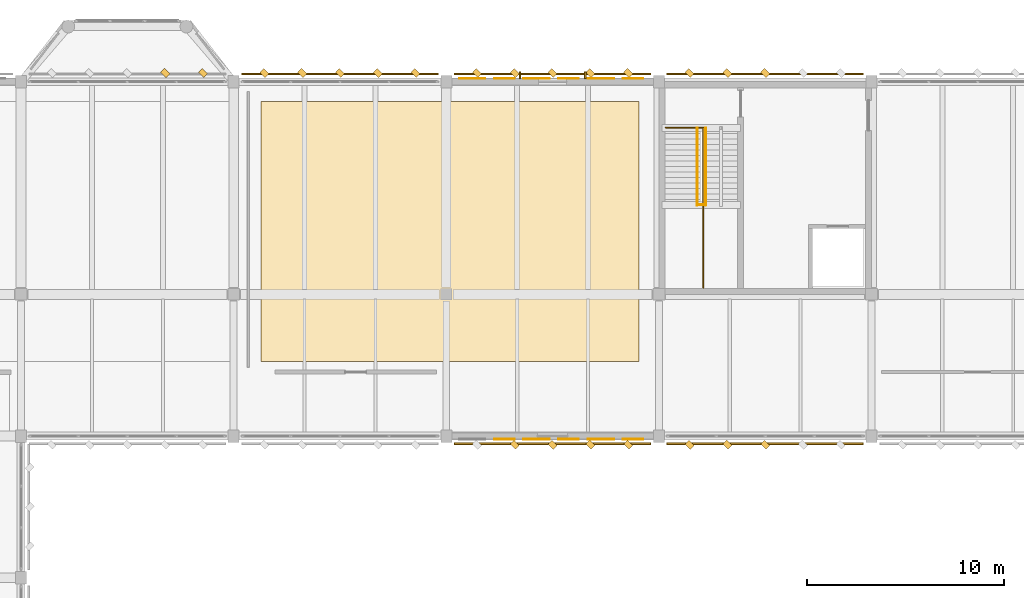
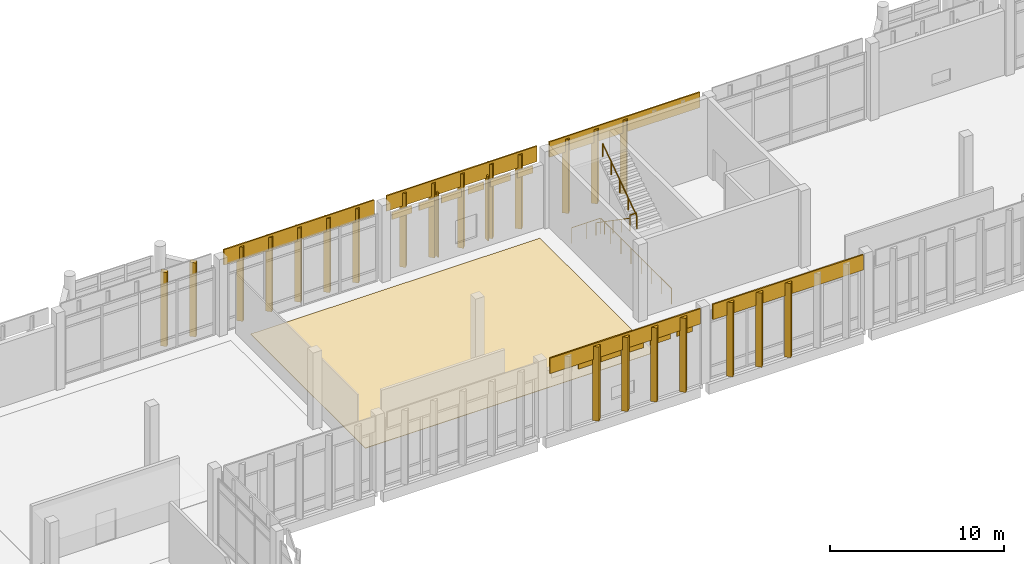
# One storey, part 172 of 180: 41 coverings, 4 railings.
"""IFC4 building model written with IfcOpenShell, lengths in metres."""

from ifc_helpers import new_model, si_unit, direction, frame, origin, origin_2d, place, context, subcontext, project, spatial, polyline, rectangle, circle, outline, extrude, material, layer, layer_set, type_object, element, save


model = new_model("IFC4")

# Units and contexts
model_context = context("Model", 3, precision=1e-05, world=origin(), true_north=direction((0.0, 1.0)))
body_context = subcontext(model_context, "Body", "Model", "MODEL_VIEW")
ifc_project = project(units=[si_unit("LENGTHUNIT", "METRE"), si_unit("AREAUNIT", "SQUARE_METRE"), si_unit("VOLUMEUNIT", "CUBIC_METRE"), si_unit("PLANEANGLEUNIT", "RADIAN"), si_unit("MASSUNIT", "GRAM", prefix="KILO")], contexts=[model_context])

# Site, building, storey
site_placement = place(None, origin())
site = spatial("IfcSite", under=ifc_project, at=site_placement, CompositionType="ELEMENT")
building_placement = place(site_placement, origin())
building = spatial("IfcBuilding", under=site, at=building_placement, Name="Lusvemor Sports Hall", CompositionType="ELEMENT")
storey_placement = place(building_placement, frame((0.0, 0.0, 5.39990234375)))
storey = spatial("IfcBuildingStorey", under=building, at=storey_placement, Name="L01", CompositionType="ELEMENT", Elevation=5.39990234375)

# Coverings
ifc_material_1 = material(Name="Emerald polychrome glazed ceramic cladding on Concrete C40/50 backing", Category="concrete")
ifc_layer_1 = layer(ifc_material_1, 0.0458984375)
ifc_layer_set_1 = layer_set([ifc_layer_1], Name="Emerald polychrome glazed ceramic cladding on Concrete C40/50 backing")
covering_type_1 = type_object("IfcCoveringType", Name="CLAD_WAVE_EMERALD", PredefinedType="CLADDING", material=ifc_layer_set_1)
for number, where, z_axis, x_axis, name in (
    (1, (44.5166015625, 115.365478515625, 3.8349609375), (0.0, 0.0, 1.0), (1.0, 0.0, 0.0), "Art Nouveau Patterned Cladding PS-EW-L01-N-1-4-1"),
    (2, (47.783203125, 115.365478515625, 3.8349609375), (0.0, 0.0, 1.0), (1.0, 0.0, 0.0), "Art Nouveau Patterned Cladding PS-EW-L01-N-1-4-3"),
    (3, (51.050048828125, 115.365478515625, 3.8349609375), (0.0, 0.0, 1.0), (1.0, 0.0, 0.0), "Art Nouveau Patterned Cladding PS-EW-L01-N-1-4-5"),
    (4, (47.783203125, 97.034423828125, 3.8349609375), (0.0, 0.0, 1.0), (1.0, 0.0, 0.0), "Art Nouveau Patterned Cladding PS-EW-L01-S-3-2-3"),
    (5, (51.050048828125, 97.034423828125, 3.8349609375), (0.0, 0.0, 1.0), (1.0, 0.0, 0.0), "Art Nouveau Patterned Cladding PS-EW-L01-S-3-2-5"),
):
    element("IfcCovering", number, at=place(storey_placement, frame(where, z_axis=z_axis, x_axis=x_axis)), inside=storey, type_object=covering_type_1, Name=name, PredefinedType="CLADDING", context=body_context, shape_type="SweptSolid", body=[
        extrude(rectangle(XDim=1.33935546875, YDim=0.0458984375, at=origin_2d()), origin(), (0.0, 0.0, 1.0), 0.510009765625),
    ])
for number, where, z_axis, x_axis, name in (
    (6, (28.919921875, 115.639892578125, 0.10009765625), (0.0, 0.0, 1.0), (0.707106781187, 0.707106781187, 0.0), "Patterned Diamond Cladding Rib 566"),
    (7, (35.8798828125, 115.639892578125, 0.10009765625), (0.0, 0.0, 1.0), (0.707106781187, 0.707106781187, 0.0), "Patterned Diamond Cladding Rib 594"),
    (8, (39.719970703125, 115.639892578125, 0.10009765625), (0.0, 0.0, 1.0), (0.707106781187, 0.707106781187, 0.0), "Patterned Diamond Cladding Rib 596"),
    (9, (46.679931640625, 115.639892578125, 0.10009765625), (0.0, 0.0, 1.0), (0.707106781187, 0.707106781187, 0.0), "Patterned Diamond Cladding Rib 624"),
    (10, (50.52001953125, 115.639892578125, 0.10009765625), (0.0, 0.0, 1.0), (0.707106781187, 0.707106781187, 0.0), "Patterned Diamond Cladding Rib 626"),
    (11, (57.47998046875, 115.639892578125, 0.10009765625), (0.0, 0.0, 1.0), (0.707106781187, 0.707106781187, 0.0), "Patterned Diamond Cladding Rib 654"),
    (12, (46.679931640625, 96.760009765625, 0.10009765625), (0.0, 0.0, 1.0), (0.707106781187, 0.707106781187, 0.0), "Patterned Diamond Cladding Rib 1218"),
    (13, (50.52001953125, 96.760009765625, 0.10009765625), (0.0, 0.0, 1.0), (0.707106781187, 0.707106781187, 0.0), "Patterned Diamond Cladding Rib 1220"),
    (14, (57.47998046875, 96.760009765625, 0.10009765625), (0.0, 0.0, 1.0), (0.707106781187, 0.707106781187, 0.0), "Patterned Diamond Cladding Rib 1242"),
):
    element("IfcCovering", number, at=place(storey_placement, frame(where, z_axis=z_axis, x_axis=x_axis)), inside=storey, type_object=covering_type_1, Name=name, PredefinedType="CLADDING", context=body_context, shape_type="SweptSolid", body=[
        extrude(rectangle(XDim=0.280029296875, YDim=0.3798828125, at=origin_2d()), origin(), (0.0, 0.0, 1.0), 5.199951171875),
    ])
ifc_material_2 = material(Name="Warm terracotta Art Nouveau ceramic cladding on Concrete C40/50 backing", Category="masonry")
ifc_layer_2 = layer(ifc_material_2, 0.0380859375)
ifc_layer_set_2 = layer_set([ifc_layer_2], Name="Warm terracotta Art Nouveau ceramic cladding on Concrete C40/50 backing")
covering_type_2 = type_object("IfcCoveringType", Name="CLAD_WAVE_OCHRE", PredefinedType="CLADDING", material=ifc_layer_set_2)
for number, where, z_axis, x_axis, name in (
    (15, (46.14990234375, 115.361572265625, 3.8349609375), (0.0, 0.0, 1.0), (1.0, 0.0, 0.0), "Art Nouveau Patterned Cladding PS-EW-L01-N-1-4-2"),
    (16, (49.416748046875, 115.361572265625, 3.8349609375), (0.0, 0.0, 1.0), (1.0, 0.0, 0.0), "Art Nouveau Patterned Cladding PS-EW-L01-N-1-4-4"),
    (17, (52.683349609375, 115.361572265625, 3.8349609375), (0.0, 0.0, 1.0), (1.0, 0.0, 0.0), "Art Nouveau Patterned Cladding PS-EW-L01-N-1-4-6"),
    (18, (46.14990234375, 97.03857421875, 3.8349609375), (0.0, 0.0, 1.0), (1.0, 0.0, 0.0), "Art Nouveau Patterned Cladding PS-EW-L01-S-3-2-2"),
    (19, (49.416748046875, 97.03857421875, 3.8349609375), (0.0, 0.0, 1.0), (1.0, 0.0, 0.0), "Art Nouveau Patterned Cladding PS-EW-L01-S-3-2-4"),
    (20, (52.683349609375, 97.03857421875, 3.8349609375), (0.0, 0.0, 1.0), (1.0, 0.0, 0.0), "Art Nouveau Patterned Cladding PS-EW-L01-S-3-2-6"),
):
    element("IfcCovering", number, at=place(storey_placement, frame(where, z_axis=z_axis, x_axis=x_axis)), inside=storey, type_object=covering_type_2, Name=name, PredefinedType="CLADDING", context=body_context, shape_type="SweptSolid", body=[
        extrude(rectangle(XDim=1.04541015625, YDim=0.0380859375, at=origin_2d()), origin(), (0.0, 0.0, 1.0), 0.510009765625),
    ])
for number, where, z_axis, x_axis, name in (
    (21, (37.800048828125, 115.590087890625, 4.380126953125), (0.0, 0.0, 1.0), (1.0, 0.0, 0.0), "Art Nouveau Spandrel Cornice 592"),
    (22, (48.60009765625, 115.590087890625, 4.380126953125), (0.0, 0.0, 1.0), (1.0, 0.0, 0.0), "Art Nouveau Spandrel Cornice 622"),
    (23, (59.39990234375, 115.590087890625, 4.380126953125), (0.0, 0.0, 1.0), (1.0, 0.0, 0.0), "Art Nouveau Spandrel Cornice 652"),
    (24, (48.60009765625, 96.81005859375, 4.380126953125), (0.0, 0.0, 1.0), (1.0, 0.0, 0.0), "Art Nouveau Spandrel Cornice 1216"),
    (25, (59.39990234375, 96.81005859375, 4.380126953125), (0.0, 0.0, 1.0), (1.0, 0.0, 0.0), "Art Nouveau Spandrel Cornice 1240"),
):
    element("IfcCovering", number, at=place(storey_placement, frame(where, z_axis=z_axis, x_axis=x_axis)), inside=storey, type_object=covering_type_2, Name=name, PredefinedType="CLADDING", context=body_context, shape_type="SweptSolid", body=[
        extrude(rectangle(XDim=9.97998046875, YDim=0.090087890625, at=origin_2d()), origin(), (0.0, 0.0, 1.0), 1.080078125),
    ])
ifc_material_3 = material(Name="Slip-resistant porcelain ceramic tile flooring")
ifc_layer_3 = layer(ifc_material_3, 0.030029296875)
ifc_layer_set_3 = layer_set([ifc_layer_3], Name="Slip-resistant porcelain ceramic tile flooring")
covering_type_3 = type_object("IfcCoveringType", Name="COV_TILE_PORC", PredefinedType="FLOORING", material=ifc_layer_set_3)
covering_placement = place(storey_placement, origin())
element("IfcCovering", 26, at=covering_placement, inside=storey, type_object=covering_type_3, Name="Porcelain Wet-Area Flooring 4", PredefinedType="FLOORING", context=body_context, shape_type="SweptSolid", body=[
    extrude(outline(polyline([(33.800048828125, 101.0), (53.0, 101.0), (53.0, 114.199951171875), (33.800048828125, 114.199951171875), (33.800048828125, 101.0)])), origin(), (0.0, 0.0, 1.0), 0.030029296875),
])
ifc_material_4 = material(Name="Emerald polychrome glazed ceramic cladding on Concrete C40/50 backing", Category="concrete")
ifc_layer_4 = layer(ifc_material_4, 0.35009765625)
ifc_layer_set_4 = layer_set([ifc_layer_4], Name="Emerald polychrome glazed ceramic cladding on Concrete C40/50 backing")
covering_type_4 = type_object("IfcCoveringType", Name="FIN_BRISE_CER_350", PredefinedType="MOLDING", material=ifc_layer_set_4)
for number, where, z_axis, x_axis, name in (
    (27, (46.93994140625, 115.527587890625, 0.10009765625), (0.0, 0.0, 1.0), (1.0, 0.0, 0.0), "Wing Brise-Soleil Fin L01-N-1-4-1"),
    (28, (50.260009765625, 115.527587890625, 0.10009765625), (0.0, 0.0, 1.0), (1.0, 0.0, 0.0), "Wing Brise-Soleil Fin L01-N-1-4-2"),
):
    element("IfcCovering", number, at=place(storey_placement, frame(where, z_axis=z_axis, x_axis=x_axis)), inside=storey, type_object=covering_type_4, Name=name, PredefinedType="MOLDING", context=body_context, shape_type="SweptSolid", body=[
        extrude(rectangle(XDim=0.080078125, YDim=0.35009765625, at=origin_2d()), origin(), (0.0, 0.0, 1.0), 4.52001953125),
    ])
ifc_material_5 = material(Name="Warm terracotta Art Nouveau ceramic cladding on Concrete C40/50 backing", Category="masonry")
ifc_layer_5 = layer(ifc_material_5, 0.449951171875)
ifc_layer_set_5 = layer_set([ifc_layer_5], Name="Warm terracotta Art Nouveau ceramic cladding on Concrete C40/50 backing")
covering_type_5 = type_object("IfcCoveringType", Name="FIN_BRISE_CER_450", PredefinedType="MOLDING", material=ifc_layer_set_5)
for number, where, z_axis, x_axis, name in (
    (29, (30.840087890625, 115.639892578125, 0.10009765625), (0.0, 0.0, 1.0), (0.707106781187, 0.707106781187, 0.0), "Patterned Diamond Cladding Rib 567"),
    (30, (33.9599609375, 115.639892578125, 0.10009765625), (0.0, 0.0, 1.0), (0.707106781187, 0.707106781187, 0.0), "Patterned Diamond Cladding Rib 593"),
    (31, (37.800048828125, 115.639892578125, 0.10009765625), (0.0, 0.0, 1.0), (0.707106781187, 0.707106781187, 0.0), "Patterned Diamond Cladding Rib 595"),
    (32, (41.639892578125, 115.639892578125, 0.10009765625), (0.0, 0.0, 1.0), (0.707106781187, 0.707106781187, 0.0), "Patterned Diamond Cladding Rib 597"),
    (33, (44.760009765625, 115.639892578125, 0.10009765625), (0.0, 0.0, 1.0), (0.707106781187, 0.707106781187, 0.0), "Patterned Diamond Cladding Rib 623"),
    (34, (48.60009765625, 115.639892578125, 0.10009765625), (0.0, 0.0, 1.0), (0.707106781187, 0.707106781187, 0.0), "Patterned Diamond Cladding Rib 625"),
    (35, (52.43994140625, 115.639892578125, 0.10009765625), (0.0, 0.0, 1.0), (0.707106781187, 0.707106781187, 0.0), "Patterned Diamond Cladding Rib 627"),
    (36, (55.56005859375, 115.639892578125, 0.10009765625), (0.0, 0.0, 1.0), (0.707106781187, 0.707106781187, 0.0), "Patterned Diamond Cladding Rib 653"),
    (37, (59.39990234375, 115.639892578125, 0.10009765625), (0.0, 0.0, 1.0), (0.707106781187, 0.707106781187, 0.0), "Patterned Diamond Cladding Rib 655"),
    (38, (48.60009765625, 96.760009765625, 0.10009765625), (0.0, 0.0, 1.0), (0.707106781187, 0.707106781187, 0.0), "Patterned Diamond Cladding Rib 1219"),
    (39, (52.43994140625, 96.760009765625, 0.10009765625), (0.0, 0.0, 1.0), (0.707106781187, 0.707106781187, 0.0), "Patterned Diamond Cladding Rib 1221"),
    (40, (55.56005859375, 96.760009765625, 0.10009765625), (0.0, 0.0, 1.0), (0.707106781187, 0.707106781187, 0.0), "Patterned Diamond Cladding Rib 1241"),
    (41, (59.39990234375, 96.760009765625, 0.10009765625), (0.0, 0.0, 1.0), (0.707106781187, 0.707106781187, 0.0), "Patterned Diamond Cladding Rib 1243"),
):
    element("IfcCovering", number, at=place(storey_placement, frame(where, z_axis=z_axis, x_axis=x_axis)), inside=storey, type_object=covering_type_5, Name=name, PredefinedType="MOLDING", context=body_context, shape_type="SweptSolid", body=[
        extrude(rectangle(XDim=0.280029296875, YDim=0.3798828125, at=origin_2d()), origin(), (0.0, 0.0, 1.0), 5.199951171875),
    ])

# Railings
ifc_material_6 = material(Name="Bronze-finished wrought-steel Art Nouveau balustrade", Category="steel")
railing_type_1 = type_object("IfcRailingType", Name="RAIL_HANDRAIL_092", PredefinedType="HANDRAIL", material=ifc_material_6)
railing_1_placement = place(storey_placement, frame((55.93994140625, 112.85009765625, 0.0)))
element("IfcRailing", 42, at=railing_1_placement, inside=storey, type_object=railing_type_1, Name="Stair STR-C2-L01 Handrail F1", PredefinedType="HANDRAIL", context=body_context, shape_type="SweptSolid", body=[
    extrude(circle(Radius=0.02392578125, at=origin_2d()), frame((0.0, 0.0, 0.89599609375), z_axis=(0.0, -0.82354327477, 0.567253448276), x_axis=(1.0, 0.0, 0.0)), (0.0, 0.0, 1.0), 4.760009765625),
    extrude(circle(Radius=0.02099609375, at=origin_2d()), origin(), (0.0, 0.0, 1.0), 0.871826171875),
    extrude(circle(Radius=0.02099609375, at=origin_2d()), frame((0.0, -0.97998046875, 0.675048828125)), (0.0, 0.0, 1.0), 0.871826171875),
    extrude(circle(Radius=0.02099609375, at=origin_2d()), frame((0.0, -1.9599609375, 1.35009765625)), (0.0, 0.0, 1.0), 0.871826171875),
    extrude(circle(Radius=0.02099609375, at=origin_2d()), frame((0.0, -2.940185546875, 2.025146484375)), (0.0, 0.0, 1.0), 0.871826171875),
    extrude(circle(Radius=0.02099609375, at=origin_2d()), frame((0.0, -3.920166015625, 2.7001953125)), (0.0, 0.0, 1.0), 0.871826171875),
])
railing_2_placement = place(storey_placement, frame((56.3798828125, 108.929931640625, 2.7001953125)))
element("IfcRailing", 43, at=railing_2_placement, inside=storey, type_object=railing_type_1, Name="Stair STR-C2-L01 Handrail F2", PredefinedType="HANDRAIL", context=body_context, shape_type="SweptSolid", body=[
    extrude(circle(Radius=0.02392578125, at=origin_2d()), frame((0.0, 0.0, 0.89599609375), z_axis=(0.0, 0.823567234665, 0.567218661528), x_axis=(-1.0, 0.0, 0.0)), (0.0, 0.0, 1.0), 4.760009765625),
    extrude(circle(Radius=0.02099609375, at=origin_2d()), origin(), (0.0, 0.0, 1.0), 0.871826171875),
    extrude(circle(Radius=0.02099609375, at=origin_2d()), frame((0.0, 0.97998046875, 0.675048828125)), (0.0, 0.0, 1.0), 0.871826171875),
    extrude(circle(Radius=0.02099609375, at=origin_2d()), frame((0.0, 1.9599609375, 1.35009765625)), (0.0, 0.0, 1.0), 0.871826171875),
    extrude(circle(Radius=0.02099609375, at=origin_2d()), frame((0.0, 2.940185546875, 2.02490234375)), (0.0, 0.0, 1.0), 0.871826171875),
    extrude(circle(Radius=0.02099609375, at=origin_2d()), frame((0.0, 3.920166015625, 2.699951171875)), (0.0, 0.0, 1.0), 0.871826171875),
])
ifc_material_7 = material(Name="Bronze-finished wrought-steel Art Nouveau balustrade", Category="steel")
railing_type_2 = type_object("IfcRailingType", Name="RAIL_STAIR_GUARD_112", PredefinedType="GUARDRAIL", material=ifc_material_7)
railing_3_placement = place(storey_placement, frame((54.340087890625, 112.8701171875, 0.0)))
element("IfcRailing", 44, at=railing_3_placement, inside=storey, type_object=railing_type_2, Name="Stairwell C2 Top Guard (L01)", PredefinedType="GUARDRAIL", context=body_context, shape_type="SweptSolid", body=[
    extrude(circle(Radius=0.02392578125, at=origin_2d()), frame((0.0, 0.0, 1.09619140625), z_axis=(1.0, 0.0, 0.0), x_axis=(0.0, 1.0, 0.0)), (0.0, 0.0, 1.0), 1.919921875),
    extrude(circle(Radius=0.02392578125, at=origin_2d()), frame((1.919921875, 0.0, 1.09619140625), z_axis=(0.0, -1.0, 0.0), x_axis=(1.0, 0.0, 0.0)), (0.0, 0.0, 1.0), 8.130126953125),
    extrude(circle(Radius=0.02099609375, at=origin_2d()), origin(), (0.0, 0.0, 1.0), 1.072021484375),
    extrude(circle(Radius=0.02099609375, at=origin_2d()), frame((0.9599609375, 0.0, 0.0)), (0.0, 0.0, 1.0), 1.072021484375),
    extrude(circle(Radius=0.02099609375, at=origin_2d()), frame((1.919921875, 0.0, 0.0)), (0.0, 0.0, 1.0), 1.072021484375),
    extrude(circle(Radius=0.02099609375, at=origin_2d()), frame((1.919921875, -1.161376953125, 0.0)), (0.0, 0.0, 1.0), 1.072021484375),
    extrude(circle(Radius=0.02099609375, at=origin_2d()), frame((1.919921875, -2.322998046875, 0.0)), (0.0, 0.0, 1.0), 1.072021484375),
    extrude(circle(Radius=0.02099609375, at=origin_2d()), frame((1.919921875, -3.484375, 0.0)), (0.0, 0.0, 1.0), 1.072021484375),
    extrude(circle(Radius=0.02099609375, at=origin_2d()), frame((1.919921875, -4.645751953125, 0.0)), (0.0, 0.0, 1.0), 1.072021484375),
    extrude(circle(Radius=0.02099609375, at=origin_2d()), frame((1.919921875, -5.80712890625, 0.0)), (0.0, 0.0, 1.0), 1.072021484375),
    extrude(circle(Radius=0.02099609375, at=origin_2d()), frame((1.919921875, -6.96875, 0.0)), (0.0, 0.0, 1.0), 1.072021484375),
    extrude(circle(Radius=0.02099609375, at=origin_2d()), frame((1.919921875, -8.130126953125, 0.0)), (0.0, 0.0, 1.0), 1.072021484375),
])
railing_4_placement = place(storey_placement, frame((55.93994140625, 108.949951171875, 2.7001953125)))
element("IfcRailing", 45, at=railing_4_placement, inside=storey, type_object=railing_type_2, Name="Stair STR-C2-L01 Mid Well Guard", PredefinedType="GUARDRAIL", context=body_context, shape_type="SweptSolid", body=[
    extrude(circle(Radius=0.02392578125, at=origin_2d()), frame((0.0, 0.0, 1.09619140625), z_axis=(1.0, 0.0, 0.0), x_axis=(0.0, 1.0, 0.0)), (0.0, 0.0, 1.0), 0.43994140625),
    extrude(circle(Radius=0.02099609375, at=origin_2d()), origin(), (0.0, 0.0, 1.0), 1.072021484375),
    extrude(circle(Radius=0.02099609375, at=origin_2d()), frame((0.43994140625, 0.0, 0.0)), (0.0, 0.0, 1.0), 1.072021484375),
])

save(model, "model.ifc")
